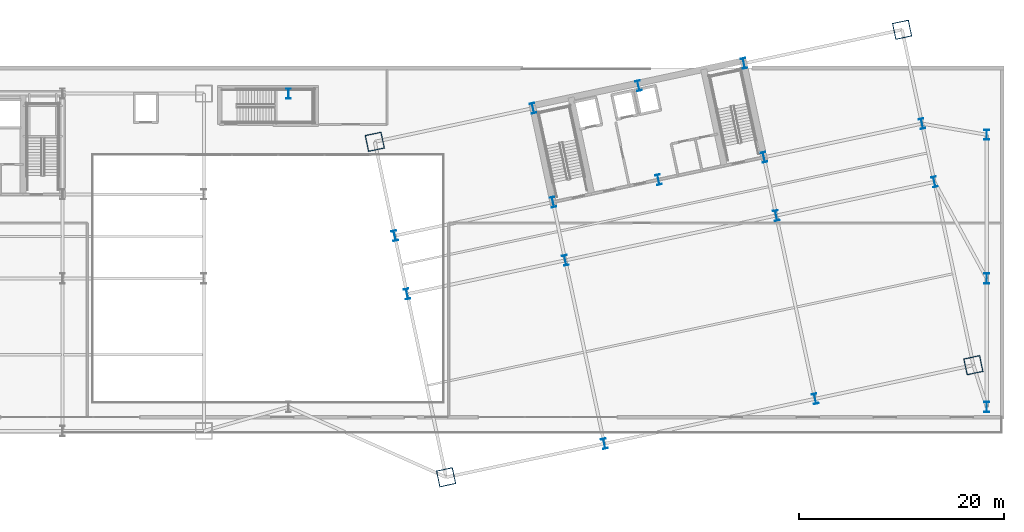
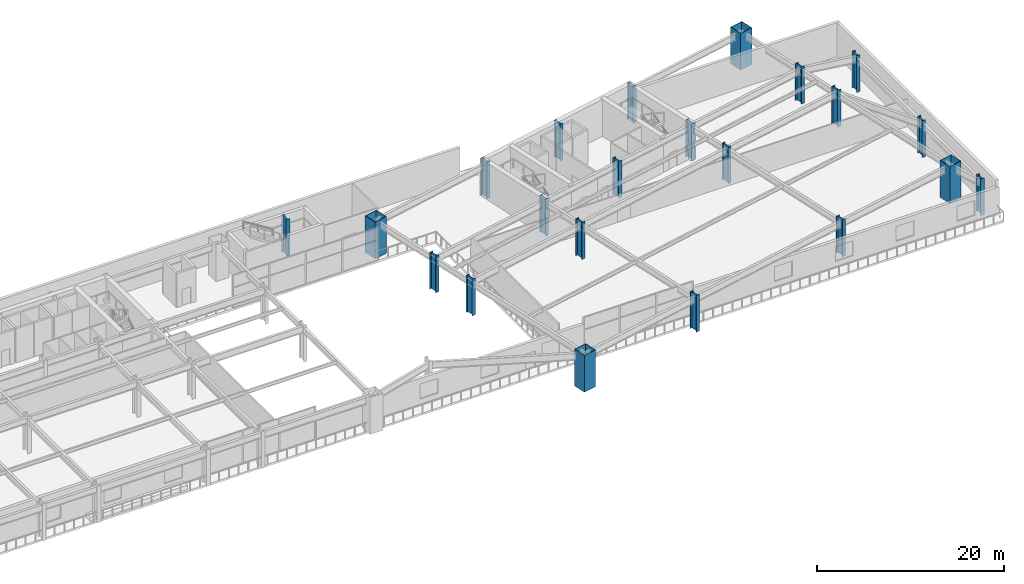
# One storey, part 2 of 35: 22 columns.
"""IFC4 building model written with IfcOpenShell, lengths in metres."""

from ifc_helpers import new_model, si_unit, direction, frame, origin, origin_2d, place, context, subcontext, project, spatial, hollow_rectangle, i_section, extrude, material, material_profile, profile_set, type_object, element, save


model = new_model("IFC4")

# Units and contexts
model_context = context("Model", 3, precision=1e-05, world=origin(), true_north=direction((0.0, 1.0)))
body_context = subcontext(model_context, "Body", "Model", "MODEL_VIEW")
ifc_project = project(units=[si_unit("LENGTHUNIT", "METRE"), si_unit("AREAUNIT", "SQUARE_METRE"), si_unit("VOLUMEUNIT", "CUBIC_METRE"), si_unit("PLANEANGLEUNIT", "RADIAN"), si_unit("MASSUNIT", "GRAM", prefix="KILO")], contexts=[model_context])

# Site, building, storey
site_placement = place(None, origin())
site = spatial("IfcSite", under=ifc_project, at=site_placement, CompositionType="ELEMENT")
building_placement = place(site_placement, origin())
building = spatial("IfcBuilding", under=site, at=building_placement, Name="Haevon Station Towers", CompositionType="ELEMENT")
storey_placement = place(building_placement, frame((0.0, 0.0, 20.39990234375)))
storey = spatial("IfcBuildingStorey", under=building, at=storey_placement, Name="L04", CompositionType="ELEMENT", Elevation=20.39990234375)

# Columns
ifc_material = material(Name="Steel S460", Category="steel")
ifc_material_profile_1 = material_profile(ifc_material, hollow_rectangle(XDim=1.60009765625, YDim=1.60009765625, WallThickness=0.0400390625, at=origin_2d()), Name="BOX-1600x1600x40")
ifc_profile_set_1 = profile_set([ifc_material_profile_1], Name="Steel S460")
column_type_1 = type_object("IfcColumnType", Name="COL-MC1", PredefinedType="COLUMN", material=ifc_profile_set_1)
for number, where, z_axis, x_axis, name in (
    (1, (88.346923828125, 10.643310546875, 0.0), (0.0, 0.0, 1.0), (0.978147600734, 0.207911690818, 0.0), "COL-T2-L04-01-01"),
    (2, (81.402587890625, 43.3134765625, 0.0), (0.0, 0.0, 1.0), (0.978147600734, 0.207911690818, 0.0), "COL-T2-L04-01-04"),
    (3, (139.699462890625, 21.558837890625, 0.0), (0.0, 0.0, 1.0), (0.978147600734, 0.207911690818, 0.0), "COL-T2-L04-05-01"),
    (4, (132.75537109375, 54.228759765625, 0.0), (0.0, 0.0, 1.0), (0.978147600734, 0.207911690818, 0.0), "COL-T2-L04-05-04"),
):
    element("IfcColumn", number, at=place(storey_placement, frame(where, z_axis=z_axis, x_axis=x_axis)), inside=storey, type_object=column_type_1, Name=name, PredefinedType="COLUMN", context=body_context, shape_type="SweptSolid", body=[
        extrude(hollow_rectangle(XDim=1.60009765625, YDim=1.60009765625, WallThickness=0.0400390625, at=origin_2d()), origin(), (0.0, 0.0, 1.0), 4.800048828125),
    ])
ifc_material_profile_2 = material_profile(ifc_material, i_section(OverallWidth=0.449951171875, OverallDepth=1.0, WebThickness=0.02197265625, FlangeThickness=0.0400390625, at=origin_2d()), Name="H-1000x450x22x40")
ifc_profile_set_2 = profile_set([ifc_material_profile_2], Name="Steel S460")
column_type_2 = type_object("IfcColumnType", Name="COL-POD1", PredefinedType="COLUMN", material=ifc_profile_set_2)
for number, where, z_axis, x_axis, name in (
    (5, (84.552490234375, 28.49462890625, 0.0), (0.0, 0.0, 1.0), (0.978147600734, 0.207911690818, 0.0), "COL-T2-L04-01-02"),
    (6, (83.346435546875, 34.167724609375, 0.0), (0.0, 0.0, 1.0), (0.978147600734, 0.207911690818, 0.0), "COL-T2-L04-01-03"),
    (7, (103.752685546875, 13.91796875, 0.0), (0.0, 0.0, 1.0), (0.978147600734, 0.207911690818, 0.0), "COL-T2-L04-02-01"),
    (8, (99.958251953125, 31.76904296875, 0.0), (0.0, 0.0, 1.0), (0.978147600734, 0.207911690818, 0.0), "COL-T2-L04-02-02"),
    (9, (98.75244140625, 37.4423828125, 0.0), (0.0, 0.0, 1.0), (0.978147600734, 0.207911690818, 0.0), "COL-T2-L04-02-03"),
    (10, (96.808349609375, 46.588134765625, 0.0), (0.0, 0.0, 1.0), (0.978147600734, 0.207911690818, 0.0), "COL-T2-L04-02-04"),
    (11, (109.02294921875, 39.62548828125, 0.0), (0.0, 0.0, 1.0), (0.978147600734, 0.207911690818, 0.0), "COL-T2-L04-03-03"),
    (12, (107.078857421875, 48.771240234375, 0.0), (0.0, 0.0, 1.0), (0.978147600734, 0.207911690818, 0.0), "COL-T2-L04-03-04"),
    (13, (124.293701171875, 18.2841796875, 0.0), (0.0, 0.0, 1.0), (0.978147600734, 0.207911690818, 0.0), "COL-T2-L04-04-01"),
    (14, (120.499267578125, 36.13525390625, 0.0), (0.0, 0.0, 1.0), (0.978147600734, 0.207911690818, 0.0), "COL-T2-L04-04-02"),
    (15, (119.29345703125, 41.80859375, 0.0), (0.0, 0.0, 1.0), (0.978147600734, 0.207911690818, 0.0), "COL-T2-L04-04-03"),
    (16, (117.349365234375, 50.954345703125, 0.0), (0.0, 0.0, 1.0), (0.978147600734, 0.207911690818, 0.0), "COL-T2-L04-04-04"),
    (17, (135.9052734375, 39.409912109375, 0.0), (0.0, 0.0, 1.0), (0.978147600734, 0.207911690818, 0.0), "COL-T2-L04-05-02"),
    (18, (134.69921875, 45.083251953125, 0.0), (0.0, 0.0, 1.0), (0.978147600734, 0.207911690818, 0.0), "COL-T2-L04-05-03"),
    (19, (73.0, 48.0, 0.0), (0.0, 0.0, 1.0), (1.0, 0.0, 0.0), "COL-POD-L04-M2"),
    (20, (141.0, 17.5, 0.0), (0.0, 0.0, 1.0), (1.0, 0.0, 0.0), "COL-POD-L04-E1"),
    (21, (141.0, 30.0, 0.0), (0.0, 0.0, 1.0), (1.0, 0.0, 0.0), "COL-POD-L04-E2"),
    (22, (141.0, 44.0, 0.0), (0.0, 0.0, 1.0), (1.0, 0.0, 0.0), "COL-POD-L04-E3"),
):
    element("IfcColumn", number, at=place(storey_placement, frame(where, z_axis=z_axis, x_axis=x_axis)), inside=storey, type_object=column_type_2, Name=name, PredefinedType="COLUMN", context=body_context, shape_type="SweptSolid", body=[
        extrude(i_section(OverallWidth=0.449951171875, OverallDepth=1.0, WebThickness=0.02197265625, FlangeThickness=0.0400390625, at=origin_2d()), origin(), (0.0, 0.0, 1.0), 4.800048828125),
    ])

save(model, "model.ifc")
